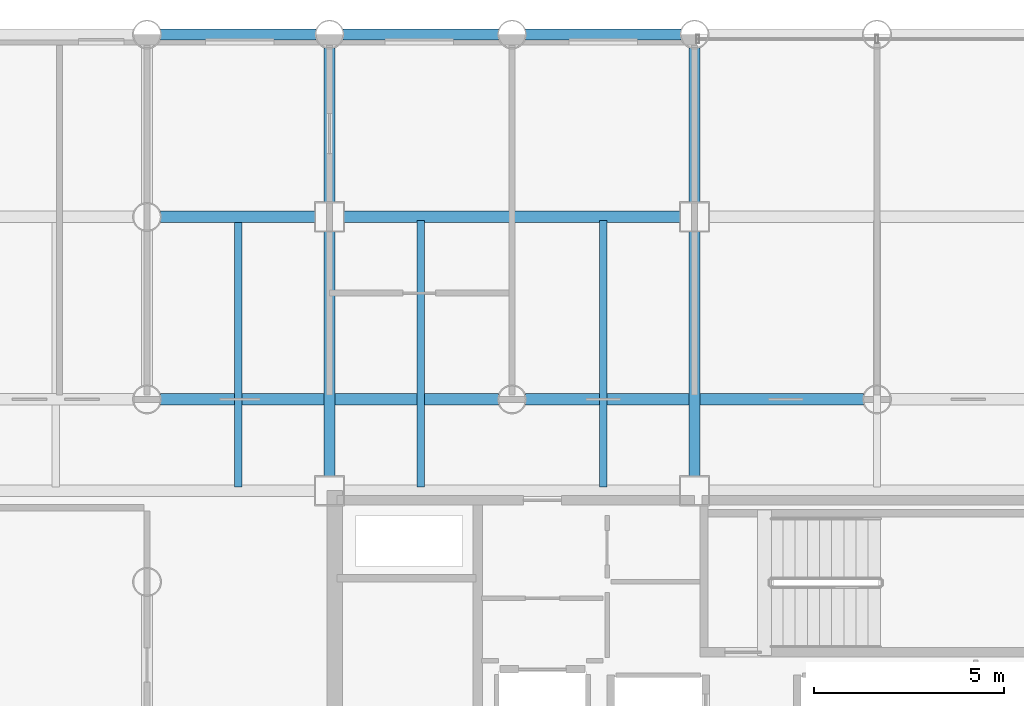
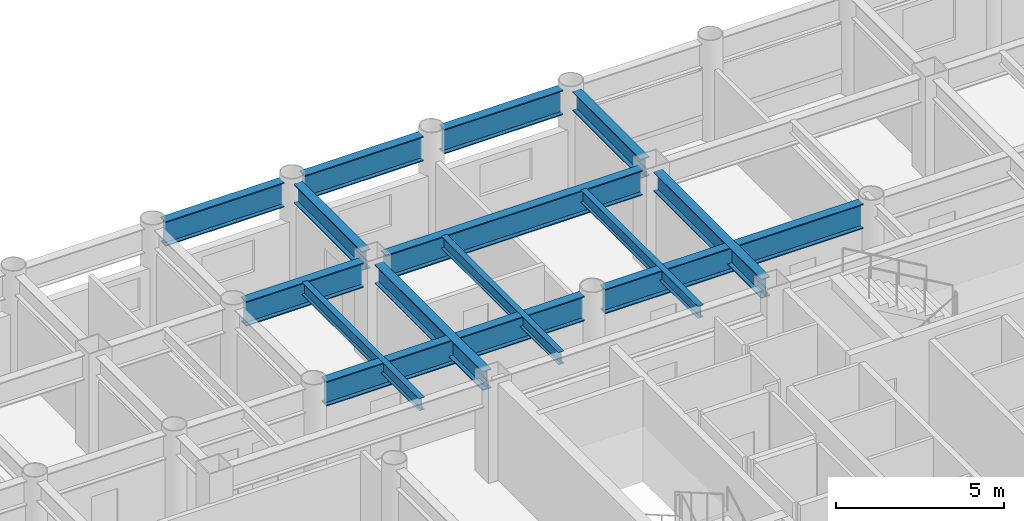
# One storey, part 10 of 21: 14 beams.
"""IFC4 building model written with IfcOpenShell, lengths in metres."""

from ifc_helpers import new_model, si_unit, direction, frame, origin, origin_2d, place, context, subcontext, project, spatial, i_section, extrude, material, material_profile, profile_set, type_object, element, save


model = new_model("IFC4")

# Units and contexts
model_context = context("Model", 3, precision=1e-05, world=origin(), true_north=direction((0.0, 1.0)))
body_context = subcontext(model_context, "Body", "Model", "MODEL_VIEW")
ifc_project = project(units=[si_unit("LENGTHUNIT", "METRE"), si_unit("AREAUNIT", "SQUARE_METRE"), si_unit("VOLUMEUNIT", "CUBIC_METRE"), si_unit("PLANEANGLEUNIT", "RADIAN"), si_unit("MASSUNIT", "GRAM", prefix="KILO")], contexts=[model_context])

# Site, building, storey
site_placement = place(None, origin())
site = spatial("IfcSite", under=ifc_project, at=site_placement, CompositionType="ELEMENT")
building_placement = place(site_placement, origin())
building = spatial("IfcBuilding", under=site, at=building_placement, Name="Kallvorn Hotel Tower", CompositionType="ELEMENT")
storey_placement = place(building_placement, frame((0.0, 0.0, 52.199951171875)))
storey = spatial("IfcBuildingStorey", under=building, at=storey_placement, Name="L11", CompositionType="ELEMENT", Elevation=52.199951171875)

# Beams
ifc_material_1 = material(Name="Structural steel S355JR", Category="steel")
ifc_material_profile_1 = material_profile(ifc_material_1, i_section(OverallWidth=0.300048828125, OverallDepth=0.699951171875, WebThickness=0.01708984375, FlangeThickness=0.031982421875, at=origin_2d()), Name="HE 700 B")
ifc_profile_set_1 = profile_set([ifc_material_profile_1], Name="Structural steel S355JR")
beam_type_1 = type_object("IfcBeamType", Name="BM_HE700B", PredefinedType="BEAM", material=ifc_profile_set_1)
beam_1_placement = place(storey_placement, frame((-14.39990234375, 7.574951171875, 3.170166015625), z_axis=(0.0, 1.0, 0.0), x_axis=(-1.0, 0.0, 0.0)))
element("IfcBeam", 1, at=beam_1_placement, inside=storey, type_object=beam_type_1, Name="L12 Primary Y-Girder 101", PredefinedType="BEAM", context=body_context, shape_type="SweptSolid", body=[
    extrude(i_section(OverallWidth=0.300048828125, OverallDepth=0.699951171875, WebThickness=0.01708984375, FlangeThickness=0.031982421875, at=origin_2d()), origin(), (0.0, 0.0, 1.0), 6.449951171875),
])
beam_2_placement = place(storey_placement, frame((-14.39990234375, 14.77490234375, 3.170166015625), z_axis=(0.0, 1.0, 0.0), x_axis=(-1.0, 0.0, 0.0)))
element("IfcBeam", 2, at=beam_2_placement, inside=storey, type_object=beam_type_1, Name="L12 Primary Y-Girder 102", PredefinedType="BEAM", context=body_context, shape_type="SweptSolid", body=[
    extrude(i_section(OverallWidth=0.300048828125, OverallDepth=0.699951171875, WebThickness=0.01708984375, FlangeThickness=0.031982421875, at=origin_2d()), origin(), (0.0, 0.0, 1.0), 4.069091796875),
])
beam_3_placement = place(storey_placement, frame((-4.800048828125, 7.574951171875, 3.170166015625), z_axis=(0.0, 1.0, 0.0), x_axis=(-1.0, 0.0, 0.0)))
element("IfcBeam", 3, at=beam_3_placement, inside=storey, type_object=beam_type_1, Name="L12 Primary Y-Girder 109", PredefinedType="BEAM", context=body_context, shape_type="SweptSolid", body=[
    extrude(i_section(OverallWidth=0.300048828125, OverallDepth=0.699951171875, WebThickness=0.01708984375, FlangeThickness=0.031982421875, at=origin_2d()), origin(), (0.0, 0.0, 1.0), 6.449951171875),
])
beam_4_placement = place(storey_placement, frame((-4.800048828125, 14.77490234375, 3.170166015625), z_axis=(0.0, 1.0, 0.0), x_axis=(-1.0, 0.0, 0.0)))
element("IfcBeam", 4, at=beam_4_placement, inside=storey, type_object=beam_type_1, Name="L12 Primary Y-Girder 110", PredefinedType="BEAM", context=body_context, shape_type="SweptSolid", body=[
    extrude(i_section(OverallWidth=0.300048828125, OverallDepth=0.699951171875, WebThickness=0.01708984375, FlangeThickness=0.031982421875, at=origin_2d()), origin(), (0.0, 0.0, 1.0), 4.069091796875),
])
ifc_material_2 = material(Name="Structural steel S355JR", Category="steel")
ifc_material_profile_2 = material_profile(ifc_material_2, i_section(OverallWidth=0.300048828125, OverallDepth=0.89990234375, WebThickness=0.0185546875, FlangeThickness=0.034912109375, at=origin_2d()), Name="HE 900 B")
ifc_profile_set_2 = profile_set([ifc_material_profile_2], Name="Structural steel S355JR")
beam_type_2 = type_object("IfcBeamType", Name="BM_HE900B", PredefinedType="BEAM", material=ifc_profile_set_2)
for number, where, z_axis, x_axis, name in (
    (5, (-18.843994140625, 9.60009765625, 3.070068359375), (1.0, 0.0, 0.0), (0.0, 1.0, 0.0), "L12 Primary X-Girder 45"),
    (6, (-9.243896484375, 9.60009765625, 3.070068359375), (1.0, 0.0, 0.0), (0.0, 1.0, 0.0), "L12 Primary X-Girder 46"),
):
    element("IfcBeam", number, at=place(storey_placement, frame(where, z_axis=z_axis, x_axis=x_axis)), inside=storey, type_object=beam_type_2, Name=name, PredefinedType="BEAM", context=body_context, shape_type="SweptSolid", body=[
        extrude(i_section(OverallWidth=0.300048828125, OverallDepth=0.89990234375, WebThickness=0.0185546875, FlangeThickness=0.034912109375, at=origin_2d()), origin(), (0.0, 0.0, 1.0), 8.887939453125),
    ])
beam_5_placement = place(storey_placement, frame((-18.843994140625, 14.39990234375, 3.070068359375), z_axis=(1.0, 0.0, 0.0), x_axis=(0.0, 1.0, 0.0)))
element("IfcBeam", 7, at=beam_5_placement, inside=storey, type_object=beam_type_2, Name="L12 Primary X-Girder 54", PredefinedType="BEAM", context=body_context, shape_type="SweptSolid", body=[
    extrude(i_section(OverallWidth=0.300048828125, OverallDepth=0.89990234375, WebThickness=0.0185546875, FlangeThickness=0.034912109375, at=origin_2d()), origin(), (0.0, 0.0, 1.0), 4.069091796875),
])
beam_6_placement = place(storey_placement, frame((-14.02490234375, 14.39990234375, 3.070068359375), z_axis=(1.0, 0.0, 0.0), x_axis=(0.0, 1.0, 0.0)))
element("IfcBeam", 8, at=beam_6_placement, inside=storey, type_object=beam_type_2, Name="L12 Primary X-Girder 55", PredefinedType="BEAM", context=body_context, shape_type="SweptSolid", body=[
    extrude(i_section(OverallWidth=0.300048828125, OverallDepth=0.89990234375, WebThickness=0.0185546875, FlangeThickness=0.034912109375, at=origin_2d()), origin(), (0.0, 0.0, 1.0), 8.849853515625),
])
for number, where, z_axis, x_axis, name in (
    (9, (-18.843994140625, 19.199951171875, 3.070068359375), (1.0, 0.0, 0.0), (0.0, 1.0, 0.0), "L12 Primary X-Girder 63"),
    (10, (-14.0439453125, 19.199951171875, 3.070068359375), (1.0, 0.0, 0.0), (0.0, 1.0, 0.0), "L12 Primary X-Girder 64"),
    (11, (-9.243896484375, 19.199951171875, 3.070068359375), (1.0, 0.0, 0.0), (0.0, 1.0, 0.0), "L12 Primary X-Girder 65"),
):
    element("IfcBeam", number, at=place(storey_placement, frame(where, z_axis=z_axis, x_axis=x_axis)), inside=storey, type_object=beam_type_2, Name=name, PredefinedType="BEAM", context=body_context, shape_type="SweptSolid", body=[
        extrude(i_section(OverallWidth=0.300048828125, OverallDepth=0.89990234375, WebThickness=0.0185546875, FlangeThickness=0.034912109375, at=origin_2d()), origin(), (0.0, 0.0, 1.0), 4.087890625),
    ])
ifc_material_3 = material(Name="Structural steel S355JR", Category="steel")
ifc_material_profile_3 = material_profile(ifc_material_3, i_section(OverallWidth=0.18994140625, OverallDepth=0.449951171875, WebThickness=0.009521484375, FlangeThickness=0.0146484375, at=origin_2d()), Name="IPE 450")
ifc_profile_set_3 = profile_set([ifc_material_profile_3], Name="Structural steel S355JR")
beam_type_3 = type_object("IfcBeamType", Name="BM_IPE450", PredefinedType="JOIST", material=ifc_profile_set_3)
for number, where, z_axis, x_axis, name in (
    (12, (-16.800048828125, 7.300048828125, 3.295166015625), (0.0, 1.0, 0.0), (-1.0, 0.0, 0.0), "L12 Secondary Composite Joist 195"),
    (13, (-12.0, 7.300048828125, 3.295166015625), (0.0, 1.0, 0.0), (-1.0, 0.0, 0.0), "L12 Secondary Composite Joist 197"),
    (14, (-7.199951171875, 7.300048828125, 3.295166015625), (0.0, 1.0, 0.0), (-1.0, 0.0, 0.0), "L12 Secondary Composite Joist 199"),
):
    element("IfcBeam", number, at=place(storey_placement, frame(where, z_axis=z_axis, x_axis=x_axis)), inside=storey, type_object=beam_type_3, Name=name, PredefinedType="JOIST", context=body_context, shape_type="SweptSolid", body=[
        extrude(i_section(OverallWidth=0.18994140625, OverallDepth=0.449951171875, WebThickness=0.009521484375, FlangeThickness=0.0146484375, at=origin_2d()), origin(), (0.0, 0.0, 1.0), 7.0),
    ])

save(model, "model.ifc")
